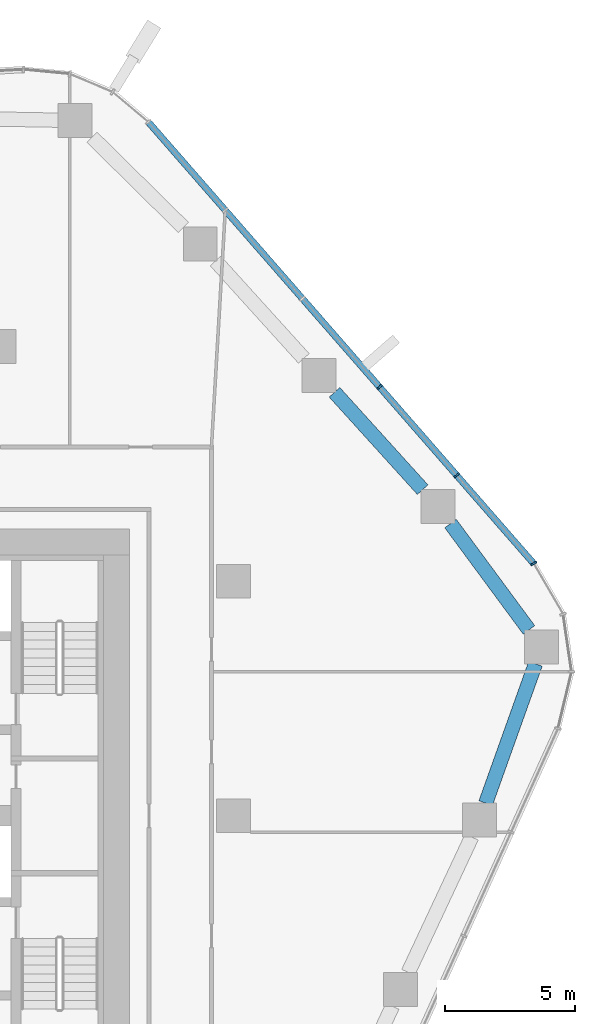
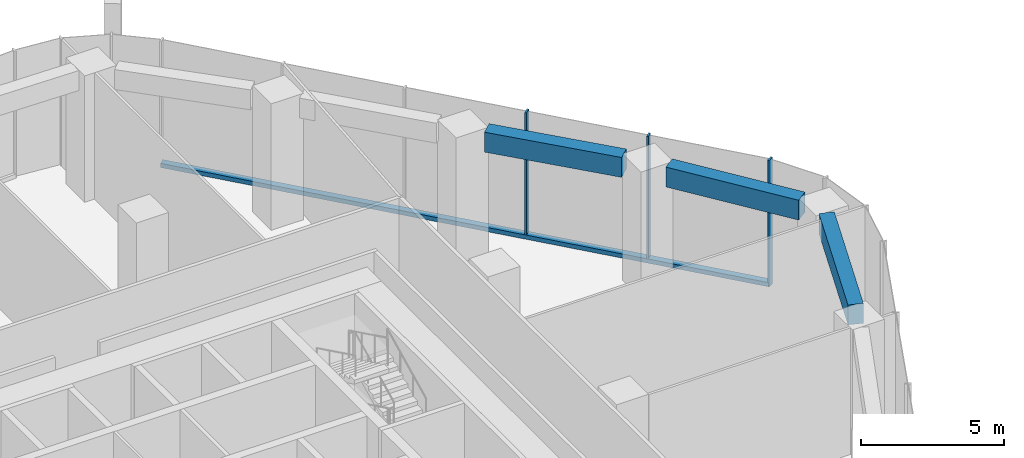
# One storey, part 6 of 18: 4 members, 3 beams, 2 elements without a shape of their own.
"""IFC4 building model written with IfcOpenShell, lengths in metres."""

from ifc_helpers import new_model, si_unit, direction, frame, origin, origin_2d, place, context, subcontext, project, spatial, rectangle, extrude, material, layer, layer_set, material_profile, profile_set, type_object, element, aggregate, save


model = new_model("IFC4")

# Units and contexts
model_context = context("Model", 3, precision=1e-05, world=origin(), true_north=direction((0.0, 1.0)))
body_context = subcontext(model_context, "Body", "Model", "MODEL_VIEW")
ifc_project = project(units=[si_unit("LENGTHUNIT", "METRE"), si_unit("AREAUNIT", "SQUARE_METRE"), si_unit("VOLUMEUNIT", "CUBIC_METRE"), si_unit("PLANEANGLEUNIT", "RADIAN"), si_unit("MASSUNIT", "GRAM", prefix="KILO")], contexts=[model_context])

# Site, building, storey
site_placement = place(None, origin())
site = spatial("IfcSite", under=ifc_project, at=site_placement, CompositionType="ELEMENT")
building_placement = place(site_placement, origin())
building = spatial("IfcBuilding", under=site, at=building_placement, Name="Dongbaek Canopy Tower", CompositionType="ELEMENT")
storey_placement = place(building_placement, frame((0.0, 0.0, 139.60009765625)))
storey = spatial("IfcBuildingStorey", under=building, at=storey_placement, Name="L31", CompositionType="ELEMENT", Elevation=139.60009765625)

# Curtain wall, member
ifc_material_1 = material(Name="Aluminium 6063-T6 pale anodised", Category="aluminium")
ifc_layer = layer(ifc_material_1, 0.25)
ifc_layer_set = layer_set([ifc_layer], Name="CW-4 sky-lobby curtain wall")
curtain_wall_type = type_object("IfcCurtainWallType", Name="CW-4 sky-lobby curtain wall", PredefinedType="NOTDEFINED", material=ifc_layer_set)
curtain_wall_1_placement = place(storey_placement, origin())
curtain_wall_1 = element("IfcCurtainWall", 1, at=curtain_wall_1_placement, inside=storey, type_object=curtain_wall_type, Name="CW-4 curtain wall K0.1", PredefinedType="NOTDEFINED")
ifc_material_2 = material(Name="Aluminium 6063-T6 pale anodised", Category="aluminium")
ifc_material_profile_1 = material_profile(ifc_material_2, rectangle(XDim=0.25, YDim=0.070068359375, at=origin_2d()), Name="CW-4 mullion 70 x 250")
ifc_profile_set_1 = profile_set([ifc_material_profile_1], Name="Aluminium 6063-T6 pale anodised")
member_type_1 = type_object("IfcMemberType", Name="CW-4 mullion 70 x 250", PredefinedType="MULLION", material=ifc_profile_set_1)
member_1_placement = place(storey_placement, frame((29.512451171875, 9.6787109375, 0.0), z_axis=(0.0, 0.0, 1.0), x_axis=(0.864250603315, 0.503061521754, 0.0)))
member_1 = element("IfcMember", 2, at=member_1_placement, type_object=member_type_1, Name="CW-4 mullion K0.1.4", PredefinedType="MULLION", context=body_context, shape_type="SweptSolid", body=[
    extrude(rectangle(XDim=0.25, YDim=0.070068359375, at=origin_2d()), origin(), (0.0, 0.0, 1.0), 5.39990234375),
])
aggregate(curtain_wall_1, [member_1])

# Curtain wall, members
curtain_wall_2_placement = place(storey_placement, origin())
curtain_wall_2 = element("IfcCurtainWall", 3, at=curtain_wall_2_placement, inside=storey, type_object=curtain_wall_type, Name="CW-4 curtain wall F0.1", PredefinedType="NOTDEFINED")
member_2_placement = place(storey_placement, frame((26.55908203125, 13.061767578125, 0.179931640625), z_axis=(0.0, 0.0, 1.0), x_axis=(0.753339239039, 0.657632109103, 0.0)))
member_2 = element("IfcMember", 4, at=member_2_placement, type_object=member_type_1, Name="CW-4 mullion F0.1.2", PredefinedType="MULLION", context=body_context, shape_type="SweptSolid", body=[
    extrude(rectangle(XDim=0.25, YDim=0.070068359375, at=origin_2d()), origin(), (0.0, 0.0, 1.0), 5.219970703125),
])
member_3_placement = place(storey_placement, frame((23.599609375, 16.4521484375, 0.179931640625), z_axis=(0.0, 0.0, 1.0), x_axis=(0.753339239039, 0.657632109103, 0.0)))
member_3 = element("IfcMember", 5, at=member_3_placement, type_object=member_type_1, Name="CW-4 mullion F0.1.3", PredefinedType="MULLION", context=body_context, shape_type="SweptSolid", body=[
    extrude(rectangle(XDim=0.25, YDim=0.070068359375, at=origin_2d()), origin(), (0.0, 0.0, 1.0), 5.219970703125),
])
ifc_material_3 = material(Name="Aluminium 6063-T6 pale anodised", Category="aluminium")
ifc_material_profile_2 = material_profile(ifc_material_3, rectangle(XDim=0.25, YDim=0.179931640625, at=origin_2d()), Name="CW-4 transom 180 x 250")
ifc_profile_set_2 = profile_set([ifc_material_profile_2], Name="Aluminium 6063-T6 pale anodised")
member_type_2 = type_object("IfcMemberType", Name="CW-4 transom 180 x 250", PredefinedType="USERDEFINED", material=ifc_profile_set_2)
member_4_placement = place(storey_placement, frame((29.512451171875, 9.6787109375, 0.08984375), z_axis=(-0.657633979198, 0.753337606525, 0.0), x_axis=(-0.753337606525, -0.657633979198, 0.0)))
member_4 = element("IfcMember", 6, at=member_4_placement, type_object=member_type_2, Name="CW-4 transom F0.1.1", ObjectType="TRANSOM", PredefinedType="USERDEFINED", context=body_context, shape_type="SweptSolid", body=[
    extrude(rectangle(XDim=0.25, YDim=0.179931640625, at=origin_2d()), origin(), (0.0, 0.0, 1.0), 22.484619140625),
])
aggregate(curtain_wall_2, [member_2, member_3, member_4])

# Beams
ifc_material_4 = material(Name="Concrete C80", Category="concrete")
ifc_material_profile_3 = material_profile(ifc_material_4, rectangle(XDim=0.550048828125, YDim=0.85009765625, at=origin_2d()), Name="RC EDGE BEAM 550x850 C80")
ifc_profile_set_3 = profile_set([ifc_material_profile_3], Name="Concrete C80")
beam_type = type_object("IfcBeamType", Name="RC EDGE BEAM 550x850 C80", PredefinedType="BEAM", material=ifc_profile_set_3)
beam_1_placement = place(storey_placement, frame((21.86865234375, 16.248046875, 4.974853515625), z_axis=(0.671270897358, -0.74121210349, 0.0), x_axis=(0.74121210349, 0.671270897358, 0.0)))
element("IfcBeam", 7, at=beam_1_placement, inside=storey, type_object=beam_type, Name="EDGEBEAM:L31:19", PredefinedType="BEAM", context=body_context, shape_type="SweptSolid", body=[
    extrude(rectangle(XDim=0.550048828125, YDim=0.85009765625, at=origin_2d()), origin(), (0.0, 0.0, 1.0), 5.04052734375),
])
beam_2_placement = place(storey_placement, frame((26.320556640625, 11.2119140625, 4.974853515625), z_axis=(0.593780308667, -0.804627208736, 0.0), x_axis=(0.804627208736, 0.593780308667, 0.0)))
element("IfcBeam", 8, at=beam_2_placement, inside=storey, type_object=beam_type, Name="EDGEBEAM:L31:20", PredefinedType="BEAM", context=body_context, shape_type="SweptSolid", body=[
    extrude(rectangle(XDim=0.550048828125, YDim=0.85009765625, at=origin_2d()), origin(), (0.0, 0.0, 1.0), 5.070556640625),
])
beam_3_placement = place(storey_placement, frame((29.578857421875, 5.83203125, 4.974853515625), z_axis=(-0.33649709705, -0.941684503258, 0.0), x_axis=(0.941684503258, -0.33649709705, 0.0)))
element("IfcBeam", 9, at=beam_3_placement, inside=storey, type_object=beam_type, Name="EDGEBEAM:L31:21", PredefinedType="BEAM", context=body_context, shape_type="SweptSolid", body=[
    extrude(rectangle(XDim=0.550048828125, YDim=0.85009765625, at=origin_2d()), origin(), (0.0, 0.0, 1.0), 5.677978515625),
])

save(model, "model.ifc")
